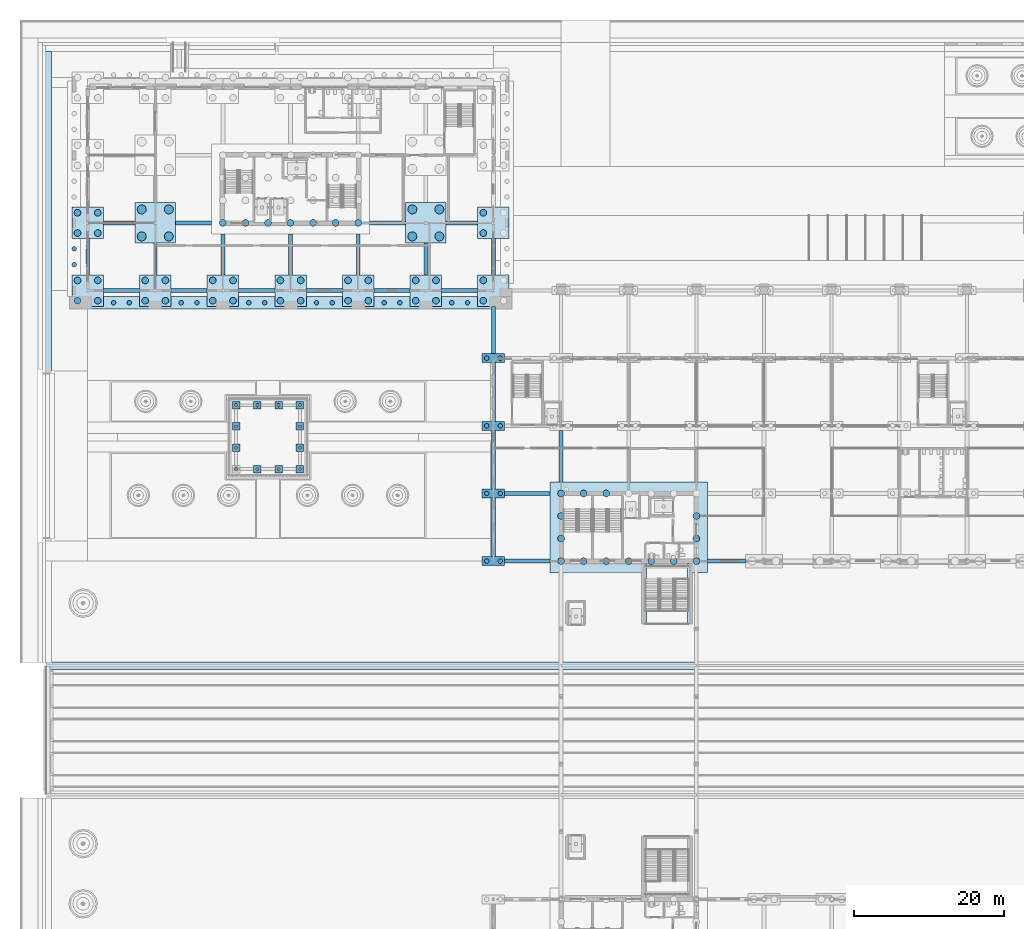
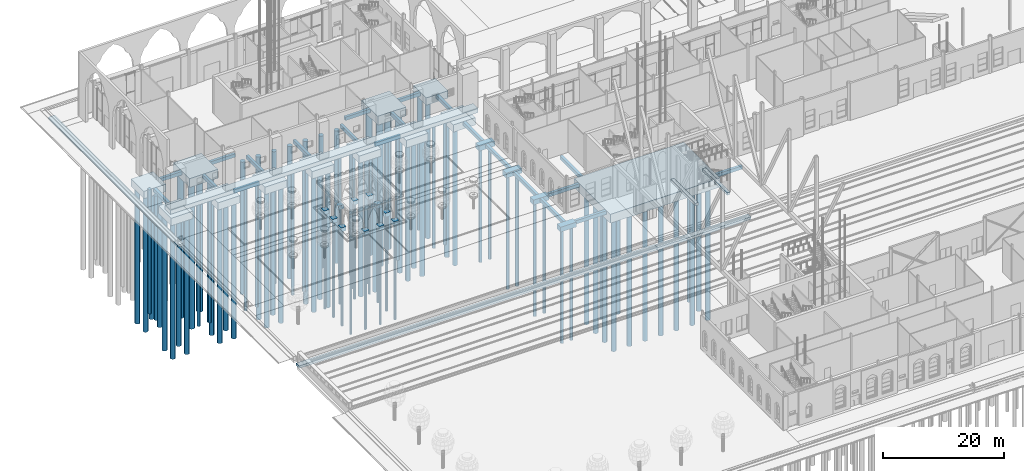
# One storey, part 2 of 250: 95 piles, 58 footings.
"""IFC4 building model written with IfcOpenShell, lengths in metres."""

from ifc_helpers import new_model, si_unit, direction, frame, origin, origin_2d, place, context, subcontext, project, spatial, polyline, rectangle, circle, outline, extrude, material, type_object, element, save


model = new_model("IFC4")

# Units and contexts
model_context = context("Model", 3, precision=1e-05, world=origin(), true_north=direction((0.0, 1.0)))
body_context = subcontext(model_context, "Body", "Model", "MODEL_VIEW")
ifc_project = project(units=[si_unit("LENGTHUNIT", "METRE"), si_unit("AREAUNIT", "SQUARE_METRE"), si_unit("VOLUMEUNIT", "CUBIC_METRE"), si_unit("PLANEANGLEUNIT", "RADIAN"), si_unit("MASSUNIT", "GRAM", prefix="KILO")], contexts=[model_context])

# Site, building, storey
site_placement = place(None, origin())
site = spatial("IfcSite", under=ifc_project, at=site_placement, CompositionType="ELEMENT")
building_placement = place(site_placement, origin())
building = spatial("IfcBuilding", under=site, at=building_placement, Name="Baradari Gate Terminus", CompositionType="ELEMENT")
storey_placement = place(building_placement, origin())
storey = spatial("IfcBuildingStorey", under=building, at=storey_placement, Name="L00", CompositionType="ELEMENT", Elevation=0.0)

# Piles
ifc_material_1 = material(Name="Concrete C32/40", Category="concrete")
pile_type_1 = type_object("IfcPileType", Name="Bored pile BP1 D900", PredefinedType="BORED", material=ifc_material_1)
for number, where, z_axis, x_axis, name in (
    (1, (27.0, 126.0, -4.199951171875), (0.0, 0.0, -1.0), (1.0, 0.0, 0.0), "Bored pile BP1 under the Operations block core (1)"),
    (2, (30.0, 126.0, -4.199951171875), (0.0, 0.0, -1.0), (1.0, 0.0, 0.0), "Bored pile BP1 under the Operations block core (5)"),
    (3, (33.0, 126.0, -4.199951171875), (0.0, 0.0, -1.0), (1.0, 0.0, 0.0), "Bored pile BP1 under the Operations block core (9)"),
    (4, (36.0, 126.0, -4.199951171875), (0.0, 0.0, -1.0), (1.0, 0.0, 0.0), "Bored pile BP1 under the Operations block core (13)"),
    (5, (39.0, 126.0, -4.199951171875), (0.0, 0.0, -1.0), (1.0, 0.0, 0.0), "Bored pile BP1 under the Operations block core (17)"),
    (6, (42.0, 126.0, -4.199951171875), (0.0, 0.0, -1.0), (1.0, 0.0, 0.0), "Bored pile BP1 under the Operations block core (21)"),
    (7, (45.0, 126.0, -4.199951171875), (0.0, 0.0, -1.0), (1.0, 0.0, 0.0), "Bored pile BP1 under the Operations block core (25)"),
):
    element("IfcPile", number, at=place(storey_placement, frame(where, z_axis=z_axis, x_axis=x_axis)), inside=storey, type_object=pile_type_1, Name=name, PredefinedType="BORED", context=body_context, shape_type="SweptSolid", body=[
        extrude(circle(Radius=0.449951171875, at=origin_2d()), origin(), (0.0, 0.0, 1.0), 26.800048828125),
    ])
for number, where, z_axis, x_axis, name in (
    (8, (72.0, 81.0, -3.800048828125), (0.0, 0.0, -1.0), (1.0, 0.0, 0.0), "Bored pile BP1 under abutment core GN (1)"),
    (9, (72.0, 90.0, -3.800048828125), (0.0, 0.0, -1.0), (1.0, 0.0, 0.0), "Bored pile BP1 under abutment core GN (2)"),
    (10, (75.0, 81.0, -3.800048828125), (0.0, 0.0, -1.0), (1.0, 0.0, 0.0), "Bored pile BP1 under abutment core GN (3)"),
    (11, (75.0, 90.0, -3.800048828125), (0.0, 0.0, -1.0), (1.0, 0.0, 0.0), "Bored pile BP1 under abutment core GN (4)"),
    (12, (78.0, 81.0, -3.800048828125), (0.0, 0.0, -1.0), (1.0, 0.0, 0.0), "Bored pile BP1 under abutment core GN (5)"),
    (13, (78.0, 90.0, -3.800048828125), (0.0, 0.0, -1.0), (1.0, 0.0, 0.0), "Bored pile BP1 under abutment core GN (6)"),
    (14, (81.0, 81.0, -3.800048828125), (0.0, 0.0, -1.0), (1.0, 0.0, 0.0), "Bored pile BP1 under abutment core GN (7)"),
    (15, (84.0, 81.0, -3.800048828125), (0.0, 0.0, -1.0), (1.0, 0.0, 0.0), "Bored pile BP1 under abutment core GN (9)"),
    (16, (87.0, 81.0, -3.800048828125), (0.0, 0.0, -1.0), (1.0, 0.0, 0.0), "Bored pile BP1 under abutment core GN (11)"),
    (17, (90.0, 81.0, -3.800048828125), (0.0, 0.0, -1.0), (1.0, 0.0, 0.0), "Bored pile BP1 under abutment core GN (13)"),
    (18, (72.0, 84.0, -3.800048828125), (0.0, 0.0, -1.0), (1.0, 0.0, 0.0), "Bored pile BP1 under abutment core GN (15)"),
    (19, (72.0, 87.0, -3.800048828125), (0.0, 0.0, -1.0), (1.0, 0.0, 0.0), "Bored pile BP1 under abutment core GN (16)"),
    (20, (90.0, 84.0, -3.800048828125), (0.0, 0.0, -1.0), (1.0, 0.0, 0.0), "Bored pile BP1 under abutment core GN (17)"),
    (21, (90.0, 87.0, -3.800048828125), (0.0, 0.0, -1.0), (1.0, 0.0, 0.0), "Bored pile BP1 under abutment core GN (18)"),
):
    element("IfcPile", number, at=place(storey_placement, frame(where, z_axis=z_axis, x_axis=x_axis)), inside=storey, type_object=pile_type_1, Name=name, PredefinedType="BORED", context=body_context, shape_type="SweptSolid", body=[
        extrude(circle(Radius=0.449951171875, at=origin_2d()), origin(), (0.0, 0.0, 1.0), 27.199951171875),
    ])
for number, where, z_axis, x_axis, name in (
    (22, (7.64990234375, 115.64990234375, -3.5), (0.0, 0.0, -1.0), (1.0, 0.0, 0.0), "Bored pile BP1 at 2-P (1)"),
    (23, (10.35009765625, 115.64990234375, -3.5), (0.0, 0.0, -1.0), (1.0, 0.0, 0.0), "Bored pile BP1 at 2-P (2)"),
    (24, (7.64990234375, 118.35009765625, -3.5), (0.0, 0.0, -1.0), (1.0, 0.0, 0.0), "Bored pile BP1 at 2-P (3)"),
    (25, (10.35009765625, 118.35009765625, -3.5), (0.0, 0.0, -1.0), (1.0, 0.0, 0.0), "Bored pile BP1 at 2-P (4)"),
    (26, (7.64990234375, 124.64990234375, -3.5), (0.0, 0.0, -1.0), (1.0, 0.0, 0.0), "Bored pile BP1 at 2-Q (1)"),
    (27, (10.35009765625, 124.64990234375, -3.5), (0.0, 0.0, -1.0), (1.0, 0.0, 0.0), "Bored pile BP1 at 2-Q (2)"),
    (28, (7.64990234375, 127.35009765625, -3.5), (0.0, 0.0, -1.0), (1.0, 0.0, 0.0), "Bored pile BP1 at 2-Q (3)"),
    (29, (10.35009765625, 127.35009765625, -3.5), (0.0, 0.0, -1.0), (1.0, 0.0, 0.0), "Bored pile BP1 at 2-Q (4)"),
    (30, (16.64990234375, 115.64990234375, -3.5), (0.0, 0.0, -1.0), (1.0, 0.0, 0.0), "Bored pile BP1 at 3-P (1)"),
    (31, (19.35009765625, 115.64990234375, -3.5), (0.0, 0.0, -1.0), (1.0, 0.0, 0.0), "Bored pile BP1 at 3-P (2)"),
    (32, (16.64990234375, 118.35009765625, -3.5), (0.0, 0.0, -1.0), (1.0, 0.0, 0.0), "Bored pile BP1 at 3-P (3)"),
    (33, (19.35009765625, 118.35009765625, -3.5), (0.0, 0.0, -1.0), (1.0, 0.0, 0.0), "Bored pile BP1 at 3-P (4)"),
    (34, (25.64990234375, 115.64990234375, -3.5), (0.0, 0.0, -1.0), (1.0, 0.0, 0.0), "Bored pile BP1 at 4-P (1)"),
    (35, (28.35009765625, 115.64990234375, -3.5), (0.0, 0.0, -1.0), (1.0, 0.0, 0.0), "Bored pile BP1 at 4-P (2)"),
    (36, (25.64990234375, 118.35009765625, -3.5), (0.0, 0.0, -1.0), (1.0, 0.0, 0.0), "Bored pile BP1 at 4-P (3)"),
    (37, (28.35009765625, 118.35009765625, -3.5), (0.0, 0.0, -1.0), (1.0, 0.0, 0.0), "Bored pile BP1 at 4-P (4)"),
    (38, (34.64990234375, 115.64990234375, -3.5), (0.0, 0.0, -1.0), (1.0, 0.0, 0.0), "Bored pile BP1 at 5-P (1)"),
    (39, (37.35009765625, 115.64990234375, -3.5), (0.0, 0.0, -1.0), (1.0, 0.0, 0.0), "Bored pile BP1 at 5-P (2)"),
    (40, (34.64990234375, 118.35009765625, -3.5), (0.0, 0.0, -1.0), (1.0, 0.0, 0.0), "Bored pile BP1 at 5-P (3)"),
    (41, (37.35009765625, 118.35009765625, -3.5), (0.0, 0.0, -1.0), (1.0, 0.0, 0.0), "Bored pile BP1 at 5-P (4)"),
    (42, (43.64990234375, 115.64990234375, -3.5), (0.0, 0.0, -1.0), (1.0, 0.0, 0.0), "Bored pile BP1 at 6-P (1)"),
    (43, (46.35009765625, 115.64990234375, -3.5), (0.0, 0.0, -1.0), (1.0, 0.0, 0.0), "Bored pile BP1 at 6-P (2)"),
    (44, (43.64990234375, 118.35009765625, -3.5), (0.0, 0.0, -1.0), (1.0, 0.0, 0.0), "Bored pile BP1 at 6-P (3)"),
    (45, (46.35009765625, 118.35009765625, -3.5), (0.0, 0.0, -1.0), (1.0, 0.0, 0.0), "Bored pile BP1 at 6-P (4)"),
    (46, (52.64990234375, 115.64990234375, -3.5), (0.0, 0.0, -1.0), (1.0, 0.0, 0.0), "Bored pile BP1 at 7-P (1)"),
    (47, (55.35009765625, 115.64990234375, -3.5), (0.0, 0.0, -1.0), (1.0, 0.0, 0.0), "Bored pile BP1 at 7-P (2)"),
    (48, (52.64990234375, 118.35009765625, -3.5), (0.0, 0.0, -1.0), (1.0, 0.0, 0.0), "Bored pile BP1 at 7-P (3)"),
    (49, (55.35009765625, 118.35009765625, -3.5), (0.0, 0.0, -1.0), (1.0, 0.0, 0.0), "Bored pile BP1 at 7-P (4)"),
    (50, (61.64990234375, 115.64990234375, -3.5), (0.0, 0.0, -1.0), (1.0, 0.0, 0.0), "Bored pile BP1 at 8-P (1)"),
    (51, (61.64990234375, 118.35009765625, -3.5), (0.0, 0.0, -1.0), (1.0, 0.0, 0.0), "Bored pile BP1 at 8-P (3)"),
    (52, (61.64990234375, 124.64990234375, -3.5), (0.0, 0.0, -1.0), (1.0, 0.0, 0.0), "Bored pile BP1 at 8-Q (1)"),
    (53, (61.64990234375, 127.35009765625, -3.5), (0.0, 0.0, -1.0), (1.0, 0.0, 0.0), "Bored pile BP1 at 8-Q (3)"),
):
    element("IfcPile", number, at=place(storey_placement, frame(where, z_axis=z_axis, x_axis=x_axis)), inside=storey, type_object=pile_type_1, Name=name, PredefinedType="BORED", context=body_context, shape_type="SweptSolid", body=[
        extrude(circle(Radius=0.449951171875, at=origin_2d()), origin(), (0.0, 0.0, 1.0), 27.5),
    ])
ifc_material_2 = material(Name="Concrete C32/40", Category="concrete")
pile_type_2 = type_object("IfcPileType", Name="Bored pile BP2 D600", PredefinedType="BORED", material=ifc_material_2)
for number, where, z_axis, x_axis, name in (
    (54, (62.10009765625, 81.0, -3.0), (0.0, 0.0, -1.0), (1.0, 0.0, 0.0), "Bored pile BP2 at 8-K-HW (1)"),
    (55, (63.89990234375, 81.0, -3.0), (0.0, 0.0, -1.0), (1.0, 0.0, 0.0), "Bored pile BP2 at 8-K-HW (2)"),
    (56, (62.10009765625, 90.0, -3.0), (0.0, 0.0, -1.0), (1.0, 0.0, 0.0), "Bored pile BP2 at 8-L-HW (1)"),
    (57, (63.89990234375, 90.0, -3.0), (0.0, 0.0, -1.0), (1.0, 0.0, 0.0), "Bored pile BP2 at 8-L-HW (2)"),
    (58, (62.10009765625, 99.0, -3.0), (0.0, 0.0, -1.0), (1.0, 0.0, 0.0), "Bored pile BP2 at 8-M-HW (1)"),
    (59, (63.89990234375, 99.0, -3.0), (0.0, 0.0, -1.0), (1.0, 0.0, 0.0), "Bored pile BP2 at 8-M-HW (2)"),
    (60, (62.10009765625, 108.0, -3.0), (0.0, 0.0, -1.0), (1.0, 0.0, 0.0), "Bored pile BP2 at 8-N-HW (1)"),
    (61, (63.89990234375, 108.0, -3.0), (0.0, 0.0, -1.0), (1.0, 0.0, 0.0), "Bored pile BP2 at 8-N-HW (2)"),
):
    element("IfcPile", number, at=place(storey_placement, frame(where, z_axis=z_axis, x_axis=x_axis)), inside=storey, type_object=pile_type_2, Name=name, PredefinedType="BORED", context=body_context, shape_type="SweptSolid", body=[
        extrude(circle(Radius=0.300048828125, at=origin_2d()), origin(), (0.0, 0.0, 1.0), 23.0),
    ])
for number, where, z_axis, x_axis, name in (
    (62, (12.449951171875, 115.3798828125, -0.85009765625), (0.0, 0.0, -1.0), (1.0, 0.0, 0.0), "Bored pile BP2 under the Operations block arcade S (1)"),
    (63, (14.550048828125, 115.3798828125, -0.85009765625), (0.0, 0.0, -1.0), (1.0, 0.0, 0.0), "Bored pile BP2 under the Operations block arcade S (2)"),
    (64, (21.449951171875, 115.3798828125, -0.85009765625), (0.0, 0.0, -1.0), (1.0, 0.0, 0.0), "Bored pile BP2 under the Operations block arcade S (3)"),
    (65, (23.550048828125, 115.3798828125, -0.85009765625), (0.0, 0.0, -1.0), (1.0, 0.0, 0.0), "Bored pile BP2 under the Operations block arcade S (4)"),
    (66, (30.449951171875, 115.3798828125, -0.85009765625), (0.0, 0.0, -1.0), (1.0, 0.0, 0.0), "Bored pile BP2 under the Operations block arcade S (5)"),
    (67, (32.550048828125, 115.3798828125, -0.85009765625), (0.0, 0.0, -1.0), (1.0, 0.0, 0.0), "Bored pile BP2 under the Operations block arcade S (6)"),
    (68, (39.449951171875, 115.3798828125, -0.85009765625), (0.0, 0.0, -1.0), (1.0, 0.0, 0.0), "Bored pile BP2 under the Operations block arcade S (7)"),
    (69, (41.550048828125, 115.3798828125, -0.85009765625), (0.0, 0.0, -1.0), (1.0, 0.0, 0.0), "Bored pile BP2 under the Operations block arcade S (8)"),
    (70, (48.449951171875, 115.3798828125, -0.85009765625), (0.0, 0.0, -1.0), (1.0, 0.0, 0.0), "Bored pile BP2 under the Operations block arcade S (9)"),
    (71, (50.550048828125, 115.3798828125, -0.85009765625), (0.0, 0.0, -1.0), (1.0, 0.0, 0.0), "Bored pile BP2 under the Operations block arcade S (10)"),
    (72, (57.449951171875, 115.3798828125, -0.85009765625), (0.0, 0.0, -1.0), (1.0, 0.0, 0.0), "Bored pile BP2 under the Operations block arcade S (11)"),
    (73, (59.550048828125, 115.3798828125, -0.85009765625), (0.0, 0.0, -1.0), (1.0, 0.0, 0.0), "Bored pile BP2 under the Operations block arcade S (12)"),
    (74, (7.199951171875, 120.449951171875, -0.85009765625), (0.0, 0.0, -1.0), (1.0, 0.0, 0.0), "Bored pile BP2 under the Operations block arcade W (1)"),
    (75, (7.199951171875, 122.550048828125, -0.85009765625), (0.0, 0.0, -1.0), (1.0, 0.0, 0.0), "Bored pile BP2 under the Operations block arcade W (2)"),
):
    element("IfcPile", number, at=place(storey_placement, frame(where, z_axis=z_axis, x_axis=x_axis)), inside=storey, type_object=pile_type_2, Name=name, PredefinedType="BORED", context=body_context, shape_type="SweptSolid", body=[
        extrude(circle(Radius=0.300048828125, at=origin_2d()), origin(), (0.0, 0.0, 1.0), 25.14990234375),
    ])
ifc_material_3 = material(Name="Concrete C32/40", Category="concrete")
pile_type_3 = type_object("IfcPileType", Name="Bored pile BP3 D1200", PredefinedType="BORED", material=ifc_material_3)
for number, where, z_axis, x_axis, name in (
    (76, (16.199951171875, 124.199951171875, -3.800048828125), (0.0, 0.0, -1.0), (1.0, 0.0, 0.0), "Bored pile BP3 at 3-Q (1)"),
    (77, (19.800048828125, 124.199951171875, -3.800048828125), (0.0, 0.0, -1.0), (1.0, 0.0, 0.0), "Bored pile BP3 at 3-Q (2)"),
    (78, (16.199951171875, 127.800048828125, -3.800048828125), (0.0, 0.0, -1.0), (1.0, 0.0, 0.0), "Bored pile BP3 at 3-Q (3)"),
    (79, (19.800048828125, 127.800048828125, -3.800048828125), (0.0, 0.0, -1.0), (1.0, 0.0, 0.0), "Bored pile BP3 at 3-Q (4)"),
    (80, (52.199951171875, 124.199951171875, -3.800048828125), (0.0, 0.0, -1.0), (1.0, 0.0, 0.0), "Bored pile BP3 at 7-Q (1)"),
    (81, (55.800048828125, 124.199951171875, -3.800048828125), (0.0, 0.0, -1.0), (1.0, 0.0, 0.0), "Bored pile BP3 at 7-Q (2)"),
    (82, (52.199951171875, 127.800048828125, -3.800048828125), (0.0, 0.0, -1.0), (1.0, 0.0, 0.0), "Bored pile BP3 at 7-Q (3)"),
    (83, (55.800048828125, 127.800048828125, -3.800048828125), (0.0, 0.0, -1.0), (1.0, 0.0, 0.0), "Bored pile BP3 at 7-Q (4)"),
):
    element("IfcPile", number, at=place(storey_placement, frame(where, z_axis=z_axis, x_axis=x_axis)), inside=storey, type_object=pile_type_3, Name=name, PredefinedType="BORED", context=body_context, shape_type="SweptSolid", body=[
        extrude(circle(Radius=0.60009765625, at=origin_2d()), origin(), (0.0, 0.0, 1.0), 29.199951171875),
    ])
ifc_material_4 = material(Name="Concrete C32/40", Category="concrete")
pile_type_4 = type_object("IfcPileType", Name="Bored pile BP4 D450", PredefinedType="BORED", material=ifc_material_4)
for number, where, z_axis, x_axis, name in (
    (84, (28.75, 93.25, -0.550048828125), (0.0, 0.0, -1.0), (1.0, 0.0, 0.0), "Bored pile BP4 under court pavilion column 1"),
    (85, (31.583251953125, 93.25, -0.550048828125), (0.0, 0.0, -1.0), (1.0, 0.0, 0.0), "Bored pile BP4 under court pavilion column 2"),
    (86, (34.416748046875, 93.25, -0.550048828125), (0.0, 0.0, -1.0), (1.0, 0.0, 0.0), "Bored pile BP4 under court pavilion column 3"),
    (87, (37.25, 93.25, -0.550048828125), (0.0, 0.0, -1.0), (1.0, 0.0, 0.0), "Bored pile BP4 under court pavilion column 4"),
    (88, (37.25, 96.083251953125, -0.550048828125), (0.0, 0.0, -1.0), (1.0, 0.0, 0.0), "Bored pile BP4 under court pavilion column 5"),
    (89, (37.25, 98.916748046875, -0.550048828125), (0.0, 0.0, -1.0), (1.0, 0.0, 0.0), "Bored pile BP4 under court pavilion column 6"),
    (90, (37.25, 101.75, -0.550048828125), (0.0, 0.0, -1.0), (1.0, 0.0, 0.0), "Bored pile BP4 under court pavilion column 7"),
    (91, (34.416748046875, 101.75, -0.550048828125), (0.0, 0.0, -1.0), (1.0, 0.0, 0.0), "Bored pile BP4 under court pavilion column 8"),
    (92, (31.583251953125, 101.75, -0.550048828125), (0.0, 0.0, -1.0), (1.0, 0.0, 0.0), "Bored pile BP4 under court pavilion column 9"),
    (93, (28.75, 101.75, -0.550048828125), (0.0, 0.0, -1.0), (1.0, 0.0, 0.0), "Bored pile BP4 under court pavilion column 10"),
    (94, (28.75, 98.916748046875, -0.550048828125), (0.0, 0.0, -1.0), (1.0, 0.0, 0.0), "Bored pile BP4 under court pavilion column 11"),
    (95, (28.75, 96.083251953125, -0.550048828125), (0.0, 0.0, -1.0), (1.0, 0.0, 0.0), "Bored pile BP4 under court pavilion column 12"),
):
    element("IfcPile", number, at=place(storey_placement, frame(where, z_axis=z_axis, x_axis=x_axis)), inside=storey, type_object=pile_type_4, Name=name, PredefinedType="BORED", context=body_context, shape_type="SweptSolid", body=[
        extrude(circle(Radius=0.22509765625, at=origin_2d()), origin(), (0.0, 0.0, 1.0), 19.449951171875),
    ])

# Footings
ifc_material_5 = material(Name="Concrete C32/40", Category="concrete")
footing_type_1 = type_object("IfcFootingType", Name="Ground beam TG1 500x700", PredefinedType="FOOTING_BEAM", material=ifc_material_5)
footing_1_placement = place(storey_placement, frame((67.5, 81.0, -2.7998046875), z_axis=(0.0, 0.0, 1.0), x_axis=(1.0, 0.0, 0.0)))
element("IfcFooting", 96, at=footing_1_placement, inside=storey, type_object=footing_type_1, Name="Ground beam TG1 line K 64.5 to 70.5", PredefinedType="FOOTING_BEAM", context=body_context, shape_type="SweptSolid", body=[
    extrude(rectangle(XDim=6.0, YDim=0.5, at=origin_2d()), origin(), (0.0, 0.0, 1.0), 0.699951171875),
])
footing_2_placement = place(storey_placement, frame((94.012451171875, 81.0, -2.7998046875), z_axis=(0.0, 0.0, 1.0), x_axis=(1.0, 0.0, 0.0)))
element("IfcFooting", 97, at=footing_2_placement, inside=storey, type_object=footing_type_1, Name="Ground beam TG1 line K 91.5 to 96.53", PredefinedType="FOOTING_BEAM", context=body_context, shape_type="SweptSolid", body=[
    extrude(rectangle(XDim=5.02490234375, YDim=0.5, at=origin_2d()), origin(), (0.0, 0.0, 1.0), 0.699951171875),
])
footing_3_placement = place(storey_placement, frame((67.5, 90.0, -2.7998046875), z_axis=(0.0, 0.0, 1.0), x_axis=(1.0, 0.0, 0.0)))
element("IfcFooting", 98, at=footing_3_placement, inside=storey, type_object=footing_type_1, Name="Ground beam TG1 line L 64.5 to 70.5", PredefinedType="FOOTING_BEAM", context=body_context, shape_type="SweptSolid", body=[
    extrude(rectangle(XDim=6.0, YDim=0.5, at=origin_2d()), origin(), (0.0, 0.0, 1.0), 0.699951171875),
])
for number, where, z_axis, x_axis, name in (
    (99, (13.5, 117.0, -2.7998046875), (0.0, 0.0, 1.0), (1.0, 0.0, 0.0), "Ground beam TG1 line P 11.1 to 15.9"),
    (100, (22.5, 117.0, -2.7998046875), (0.0, 0.0, 1.0), (1.0, 0.0, 0.0), "Ground beam TG1 line P 20.1 to 24.9"),
    (101, (31.5, 117.0, -2.7998046875), (0.0, 0.0, 1.0), (1.0, 0.0, 0.0), "Ground beam TG1 line P 29.1 to 33.9"),
    (102, (40.5, 117.0, -2.7998046875), (0.0, 0.0, 1.0), (1.0, 0.0, 0.0), "Ground beam TG1 line P 38.1 to 42.9"),
    (103, (49.5, 117.0, -2.7998046875), (0.0, 0.0, 1.0), (1.0, 0.0, 0.0), "Ground beam TG1 line P 47.1 to 51.9"),
    (104, (58.5, 117.0, -2.7998046875), (0.0, 0.0, 1.0), (1.0, 0.0, 0.0), "Ground beam TG1 line P 56.1 to 60.9"),
):
    element("IfcFooting", number, at=place(storey_placement, frame(where, z_axis=z_axis, x_axis=x_axis)), inside=storey, type_object=footing_type_1, Name=name, PredefinedType="FOOTING_BEAM", context=body_context, shape_type="SweptSolid", body=[
        extrude(rectangle(XDim=4.800048828125, YDim=0.5, at=origin_2d()), origin(), (0.0, 0.0, 1.0), 0.699951171875),
    ])
footing_4_placement = place(storey_placement, frame((13.199951171875, 126.0, -2.7998046875), z_axis=(0.0, 0.0, 1.0), x_axis=(1.0, 0.0, 0.0)))
element("IfcFooting", 105, at=footing_4_placement, inside=storey, type_object=footing_type_1, Name="Ground beam TG1 line Q 11.1 to 15.3", PredefinedType="FOOTING_BEAM", context=body_context, shape_type="SweptSolid", body=[
    extrude(rectangle(XDim=4.199951171875, YDim=0.5, at=origin_2d()), origin(), (0.0, 0.0, 1.0), 0.699951171875),
])
for number, where, z_axis, x_axis, name in (
    (106, (23.10009765625, 126.0, -2.7998046875), (0.0, 0.0, 1.0), (1.0, 0.0, 0.0), "Ground beam TG1 line Q 20.7 to 25.5"),
    (107, (48.89990234375, 126.0, -2.7998046875), (0.0, 0.0, 1.0), (1.0, 0.0, 0.0), "Ground beam TG1 line Q 46.5 to 51.3"),
):
    element("IfcFooting", number, at=place(storey_placement, frame(where, z_axis=z_axis, x_axis=x_axis)), inside=storey, type_object=footing_type_1, Name=name, PredefinedType="FOOTING_BEAM", context=body_context, shape_type="SweptSolid", body=[
        extrude(rectangle(XDim=4.800048828125, YDim=0.5, at=origin_2d()), origin(), (0.0, 0.0, 1.0), 0.699951171875),
    ])
footing_5_placement = place(storey_placement, frame((58.800048828125, 126.0, -2.7998046875), z_axis=(0.0, 0.0, 1.0), x_axis=(1.0, 0.0, 0.0)))
element("IfcFooting", 108, at=footing_5_placement, inside=storey, type_object=footing_type_1, Name="Ground beam TG1 line Q 56.7 to 60.9", PredefinedType="FOOTING_BEAM", context=body_context, shape_type="SweptSolid", body=[
    extrude(rectangle(XDim=4.199951171875, YDim=0.5, at=origin_2d()), origin(), (0.0, 0.0, 1.0), 0.699951171875),
])
footing_6_placement = place(storey_placement, frame((9.0, 121.5, -2.7998046875), z_axis=(0.0, 0.0, 1.0), x_axis=(1.0, 0.0, 0.0)))
element("IfcFooting", 109, at=footing_6_placement, inside=storey, type_object=footing_type_1, Name="Ground beam TG1 line 2 119.1 to 123.9", PredefinedType="FOOTING_BEAM", context=body_context, shape_type="SweptSolid", body=[
    extrude(rectangle(XDim=0.5, YDim=4.800048828125, at=origin_2d()), origin(), (0.0, 0.0, 1.0), 0.699951171875),
])
footing_7_placement = place(storey_placement, frame((18.0, 121.199951171875, -2.7998046875), z_axis=(0.0, 0.0, 1.0), x_axis=(1.0, 0.0, 0.0)))
element("IfcFooting", 110, at=footing_7_placement, inside=storey, type_object=footing_type_1, Name="Ground beam TG1 line 3 119.1 to 123.3", PredefinedType="FOOTING_BEAM", context=body_context, shape_type="SweptSolid", body=[
    extrude(rectangle(XDim=0.5, YDim=4.199951171875, at=origin_2d()), origin(), (0.0, 0.0, 1.0), 0.699951171875),
])
for number, where, z_axis, x_axis, name in (
    (111, (27.0, 121.800048828125, -2.7998046875), (0.0, 0.0, 1.0), (1.0, 0.0, 0.0), "Ground beam TG1 line 4 119.1 to 124.5"),
    (112, (36.0, 121.800048828125, -2.7998046875), (0.0, 0.0, 1.0), (1.0, 0.0, 0.0), "Ground beam TG1 line 5 119.1 to 124.5"),
    (113, (45.0, 121.800048828125, -2.7998046875), (0.0, 0.0, 1.0), (1.0, 0.0, 0.0), "Ground beam TG1 line 6 119.1 to 124.5"),
):
    element("IfcFooting", number, at=place(storey_placement, frame(where, z_axis=z_axis, x_axis=x_axis)), inside=storey, type_object=footing_type_1, Name=name, PredefinedType="FOOTING_BEAM", context=body_context, shape_type="SweptSolid", body=[
        extrude(rectangle(XDim=0.5, YDim=5.39990234375, at=origin_2d()), origin(), (0.0, 0.0, 1.0), 0.699951171875),
    ])
footing_8_placement = place(storey_placement, frame((54.0, 121.199951171875, -2.7998046875), z_axis=(0.0, 0.0, 1.0), x_axis=(1.0, 0.0, 0.0)))
element("IfcFooting", 114, at=footing_8_placement, inside=storey, type_object=footing_type_1, Name="Ground beam TG1 line 7 119.1 to 123.3", PredefinedType="FOOTING_BEAM", context=body_context, shape_type="SweptSolid", body=[
    extrude(rectangle(XDim=0.5, YDim=4.199951171875, at=origin_2d()), origin(), (0.0, 0.0, 1.0), 0.699951171875),
])
for number, where, z_axis, x_axis, name in (
    (115, (63.0, 85.5, -2.7998046875), (0.0, 0.0, 1.0), (1.0, 0.0, 0.0), "Ground beam TG1 line 8 81.6 to 89.4"),
    (116, (63.0, 94.5, -2.7998046875), (0.0, 0.0, 1.0), (1.0, 0.0, 0.0), "Ground beam TG1 line 8 90.6 to 98.4"),
    (117, (63.0, 103.5, -2.7998046875), (0.0, 0.0, 1.0), (1.0, 0.0, 0.0), "Ground beam TG1 line 8 99.6 to 107.4"),
):
    element("IfcFooting", number, at=place(storey_placement, frame(where, z_axis=z_axis, x_axis=x_axis)), inside=storey, type_object=footing_type_1, Name=name, PredefinedType="FOOTING_BEAM", context=body_context, shape_type="SweptSolid", body=[
        extrude(rectangle(XDim=0.5, YDim=7.800048828125, at=origin_2d()), origin(), (0.0, 0.0, 1.0), 0.699951171875),
    ])
footing_9_placement = place(storey_placement, frame((63.0, 111.75, -2.7998046875), z_axis=(0.0, 0.0, 1.0), x_axis=(1.0, 0.0, 0.0)))
element("IfcFooting", 118, at=footing_9_placement, inside=storey, type_object=footing_type_1, Name="Ground beam TG1 line 8 108.6 to 114.9", PredefinedType="FOOTING_BEAM", context=body_context, shape_type="SweptSolid", body=[
    extrude(rectangle(XDim=0.5, YDim=6.300048828125, at=origin_2d()), origin(), (0.0, 0.0, 1.0), 0.699951171875),
])
footing_10_placement = place(storey_placement, frame((63.0, 121.5, -2.7998046875), z_axis=(0.0, 0.0, 1.0), x_axis=(1.0, 0.0, 0.0)))
element("IfcFooting", 119, at=footing_10_placement, inside=storey, type_object=footing_type_1, Name="Ground beam TG1 line 8 119.1 to 123.9", PredefinedType="FOOTING_BEAM", context=body_context, shape_type="SweptSolid", body=[
    extrude(rectangle(XDim=0.5, YDim=4.800048828125, at=origin_2d()), origin(), (0.0, 0.0, 1.0), 0.699951171875),
])
footing_11_placement = place(storey_placement, frame((72.0, 94.949951171875, -2.7998046875), z_axis=(0.0, 0.0, 1.0), x_axis=(1.0, 0.0, 0.0)))
element("IfcFooting", 120, at=footing_11_placement, inside=storey, type_object=footing_type_1, Name="Ground beam TG1 line 9 91.5 to 98.4", PredefinedType="FOOTING_BEAM", context=body_context, shape_type="SweptSolid", body=[
    extrude(rectangle(XDim=0.5, YDim=6.89990234375, at=origin_2d()), origin(), (0.0, 0.0, 1.0), 0.699951171875),
])
ifc_material_6 = material(Name="Concrete C32/40", Category="concrete")
footing_type_2 = type_object("IfcFootingType", Name="Kerb strip footing SFK-1 1200x400", PredefinedType="STRIP_FOOTING", material=ifc_material_6)
footing_12_placement = place(storey_placement, frame((3.60009765625, 127.39990234375, -1.199951171875), z_axis=(0.0, 0.0, 1.0), x_axis=(1.0, 0.0, 0.0)))
element("IfcFooting", 121, at=footing_12_placement, inside=storey, type_object=footing_type_2, Name="Strip footing under plinth wall W3", PredefinedType="STRIP_FOOTING", context=body_context, shape_type="SweptSolid", body=[
    extrude(rectangle(XDim=1.199951171875, YDim=42.800048828125, at=origin_2d()), origin(), (0.0, 0.0, 1.0), 0.39990234375),
])
ifc_material_7 = material(Name="Concrete C32/40", Category="concrete")
footing_type_3 = type_object("IfcFootingType", Name="Pile cap PC1 4200x4200x1500", PredefinedType="PILE_CAP", material=ifc_material_7)
for number, where, z_axis, x_axis, name in (
    (122, (9.0, 117.0, -3.60009765625), (0.0, 0.0, 1.0), (1.0, 0.0, 0.0), "Pile cap PC1 at 2-P"),
    (123, (9.0, 126.0, -3.60009765625), (0.0, 0.0, 1.0), (1.0, 0.0, 0.0), "Pile cap PC1 at 2-Q"),
    (124, (18.0, 117.0, -3.60009765625), (0.0, 0.0, 1.0), (1.0, 0.0, 0.0), "Pile cap PC1 at 3-P"),
    (125, (27.0, 117.0, -3.60009765625), (0.0, 0.0, 1.0), (1.0, 0.0, 0.0), "Pile cap PC1 at 4-P"),
    (126, (36.0, 117.0, -3.60009765625), (0.0, 0.0, 1.0), (1.0, 0.0, 0.0), "Pile cap PC1 at 5-P"),
    (127, (45.0, 117.0, -3.60009765625), (0.0, 0.0, 1.0), (1.0, 0.0, 0.0), "Pile cap PC1 at 6-P"),
    (128, (54.0, 117.0, -3.60009765625), (0.0, 0.0, 1.0), (1.0, 0.0, 0.0), "Pile cap PC1 at 7-P"),
    (129, (63.0, 117.0, -3.60009765625), (0.0, 0.0, 1.0), (1.0, 0.0, 0.0), "Pile cap PC1 at 8-P"),
    (130, (63.0, 126.0, -3.60009765625), (0.0, 0.0, 1.0), (1.0, 0.0, 0.0), "Pile cap PC1 at 8-Q"),
):
    element("IfcFooting", number, at=place(storey_placement, frame(where, z_axis=z_axis, x_axis=x_axis)), inside=storey, type_object=footing_type_3, Name=name, PredefinedType="PILE_CAP", context=body_context, shape_type="SweptSolid", body=[
        extrude(rectangle(XDim=4.199951171875, YDim=4.199951171875, at=origin_2d()), origin(), (0.0, 0.0, 1.0), 1.5),
    ])
ifc_material_8 = material(Name="Concrete C32/40", Category="concrete")
footing_type_4 = type_object("IfcFootingType", Name="Pile cap PC10 1000x1000x800", PredefinedType="PILE_CAP", material=ifc_material_8)
for number, where, z_axis, x_axis, name in (
    (131, (31.583251953125, 93.25, -0.64990234375), (0.0, 0.0, 1.0), (1.0, 0.0, 0.0), "Pile cap PC10 under court pavilion column 2"),
    (132, (34.416748046875, 93.25, -0.64990234375), (0.0, 0.0, 1.0), (1.0, 0.0, 0.0), "Pile cap PC10 under court pavilion column 3"),
    (133, (37.25, 93.25, -0.64990234375), (0.0, 0.0, 1.0), (1.0, 0.0, 0.0), "Pile cap PC10 under court pavilion column 4"),
    (134, (37.25, 96.083251953125, -0.64990234375), (0.0, 0.0, 1.0), (1.0, 0.0, 0.0), "Pile cap PC10 under court pavilion column 5"),
    (135, (37.25, 98.916748046875, -0.64990234375), (0.0, 0.0, 1.0), (1.0, 0.0, 0.0), "Pile cap PC10 under court pavilion column 6"),
    (136, (37.25, 101.75, -0.64990234375), (0.0, 0.0, 1.0), (1.0, 0.0, 0.0), "Pile cap PC10 under court pavilion column 7"),
    (137, (34.416748046875, 101.75, -0.64990234375), (0.0, 0.0, 1.0), (1.0, 0.0, 0.0), "Pile cap PC10 under court pavilion column 8"),
    (138, (31.583251953125, 101.75, -0.64990234375), (0.0, 0.0, 1.0), (1.0, 0.0, 0.0), "Pile cap PC10 under court pavilion column 9"),
    (139, (28.75, 101.75, -0.64990234375), (0.0, 0.0, 1.0), (1.0, 0.0, 0.0), "Pile cap PC10 under court pavilion column 10"),
    (140, (28.75, 98.916748046875, -0.64990234375), (0.0, 0.0, 1.0), (1.0, 0.0, 0.0), "Pile cap PC10 under court pavilion column 11"),
    (141, (28.75, 96.083251953125, -0.64990234375), (0.0, 0.0, 1.0), (1.0, 0.0, 0.0), "Pile cap PC10 under court pavilion column 12"),
):
    element("IfcFooting", number, at=place(storey_placement, frame(where, z_axis=z_axis, x_axis=x_axis)), inside=storey, type_object=footing_type_4, Name=name, PredefinedType="PILE_CAP", context=body_context, shape_type="SweptSolid", body=[
        extrude(rectangle(XDim=1.0, YDim=1.0, at=origin_2d()), origin(), (0.0, 0.0, 1.0), 0.800048828125),
    ])
ifc_material_9 = material(Name="Concrete C32/40", Category="concrete")
footing_type_5 = type_object("IfcFootingType", Name="Pile cap PC2 5400x5400x1800", PredefinedType="PILE_CAP", material=ifc_material_9)
for number, where, z_axis, x_axis, name in (
    (142, (18.0, 126.0, -3.89990234375), (0.0, 0.0, 1.0), (1.0, 0.0, 0.0), "Pile cap PC2 at 3-Q"),
    (143, (54.0, 126.0, -3.89990234375), (0.0, 0.0, 1.0), (1.0, 0.0, 0.0), "Pile cap PC2 at 7-Q"),
):
    element("IfcFooting", number, at=place(storey_placement, frame(where, z_axis=z_axis, x_axis=x_axis)), inside=storey, type_object=footing_type_5, Name=name, PredefinedType="PILE_CAP", context=body_context, shape_type="SweptSolid", body=[
        extrude(rectangle(XDim=5.39990234375, YDim=5.39990234375, at=origin_2d()), origin(), (0.0, 0.0, 1.0), 1.800048828125),
    ])
ifc_material_10 = material(Name="Concrete C32/40", Category="concrete")
footing_type_6 = type_object("IfcFootingType", Name="Pile cap PC4 3000x1200x1000", PredefinedType="PILE_CAP", material=ifc_material_10)
for number, where, z_axis, x_axis, name in (
    (144, (63.0, 81.0, -3.10009765625), (0.0, 0.0, 1.0), (1.0, 0.0, 0.0), "Pile cap PC4 at 8-K-HW"),
    (145, (63.0, 90.0, -3.10009765625), (0.0, 0.0, 1.0), (1.0, 0.0, 0.0), "Pile cap PC4 at 8-L-HW"),
    (146, (63.0, 99.0, -3.10009765625), (0.0, 0.0, 1.0), (1.0, 0.0, 0.0), "Pile cap PC4 at 8-M-HW"),
    (147, (63.0, 108.0, -3.10009765625), (0.0, 0.0, 1.0), (1.0, 0.0, 0.0), "Pile cap PC4 at 8-N-HW"),
):
    element("IfcFooting", number, at=place(storey_placement, frame(where, z_axis=z_axis, x_axis=x_axis)), inside=storey, type_object=footing_type_6, Name=name, PredefinedType="PILE_CAP", context=body_context, shape_type="SweptSolid", body=[
        extrude(rectangle(XDim=3.0, YDim=1.199951171875, at=origin_2d()), origin(), (0.0, 0.0, 1.0), 1.0),
    ])
ifc_material_11 = material(Name="Concrete C32/40", Category="concrete")
footing_type_7 = type_object("IfcFootingType", Name="Piled raft RF1 1800", PredefinedType="PILE_CAP", material=ifc_material_11)
footing_13_placement = place(storey_placement, frame((0.0, 0.0, -3.89990234375)))
element("IfcFooting", 148, at=footing_13_placement, inside=storey, type_object=footing_type_7, Name="Piled raft under abutment core GN", PredefinedType="PILE_CAP", context=body_context, shape_type="SweptSolid", body=[
    extrude(outline(polyline([(70.5, 79.5), (91.5, 79.5), (91.5, 91.5), (70.5, 91.5), (70.5, 79.5)])), origin(), (0.0, 0.0, 1.0), 1.7998046875),
])
ifc_material_12 = material(Name="Concrete C32/40", Category="concrete")
footing_type_8 = type_object("IfcFootingType", Name="Strip footing SF1 1000x500", PredefinedType="STRIP_FOOTING", material=ifc_material_12)
footing_14_placement = place(storey_placement, frame((81.0, 67.10009765625, -2.072021484375), z_axis=(0.0, 0.0, 1.0), x_axis=(1.0, 0.0, 0.0)))
element("IfcFooting", 149, at=footing_14_placement, inside=storey, type_object=footing_type_8, Name="Strip footing under platform 2 edge wall 1", PredefinedType="STRIP_FOOTING", context=body_context, shape_type="SweptSolid", body=[
    extrude(rectangle(XDim=18.0, YDim=1.0, at=origin_2d()), origin(), (0.0, 0.0, 1.0), 0.5),
])
footing_15_placement = place(storey_placement, frame((37.75, 67.10009765625, -1.971923828125), z_axis=(0.0, 0.0, 1.0), x_axis=(1.0, 0.0, 0.0)))
element("IfcFooting", 150, at=footing_15_placement, inside=storey, type_object=footing_type_8, Name="Strip footing under track wing wall WN", PredefinedType="STRIP_FOOTING", context=body_context, shape_type="SweptSolid", body=[
    extrude(rectangle(XDim=68.5, YDim=1.0, at=origin_2d()), origin(), (0.0, 0.0, 1.0), 0.5),
])
ifc_material_13 = material(Name="Concrete C32/40", Category="concrete")
footing_type_9 = type_object("IfcFootingType", Name="Strip footing SF2 600x500", PredefinedType="STRIP_FOOTING", material=ifc_material_13)
for number, where, z_axis, x_axis, name in (
    (151, (83.050048828125, 76.64990234375, -0.5), (0.0, 0.0, 1.0), (1.0, 0.0, 0.0), "Strip footing under stair PS-2 spine wall W"),
    (152, (89.14990234375, 76.64990234375, -0.5), (0.0, 0.0, 1.0), (1.0, 0.0, 0.0), "Strip footing under stair PS-2 spine wall E"),
):
    element("IfcFooting", number, at=place(storey_placement, frame(where, z_axis=z_axis, x_axis=x_axis)), inside=storey, type_object=footing_type_9, Name=name, PredefinedType="STRIP_FOOTING", context=body_context, shape_type="SweptSolid", body=[
        extrude(rectangle(XDim=0.60009765625, YDim=8.10009765625, at=origin_2d()), origin(), (0.0, 0.0, 1.0), 0.5),
    ])
ifc_material_14 = material(Name="Concrete C32/40", Category="concrete")
footing_type_10 = type_object("IfcFootingType", Name="Strip footing SF6 1700x800", PredefinedType="STRIP_FOOTING", material=ifc_material_14)
footing_16_placement = place(storey_placement, frame((36.0, 115.3798828125, -0.9501953125), z_axis=(0.0, 0.0, 1.0), x_axis=(1.0, 0.0, 0.0)))
element("IfcFooting", 153, at=footing_16_placement, inside=storey, type_object=footing_type_10, Name="Strip footing SF6 under the Operations block arcade, S side", PredefinedType="STRIP_FOOTING", context=body_context, shape_type="SweptSolid", body=[
    extrude(rectangle(XDim=58.889892578125, YDim=1.699951171875, at=origin_2d()), origin(), (0.0, 0.0, 1.0), 0.800048828125),
])

save(model, "model.ifc")
